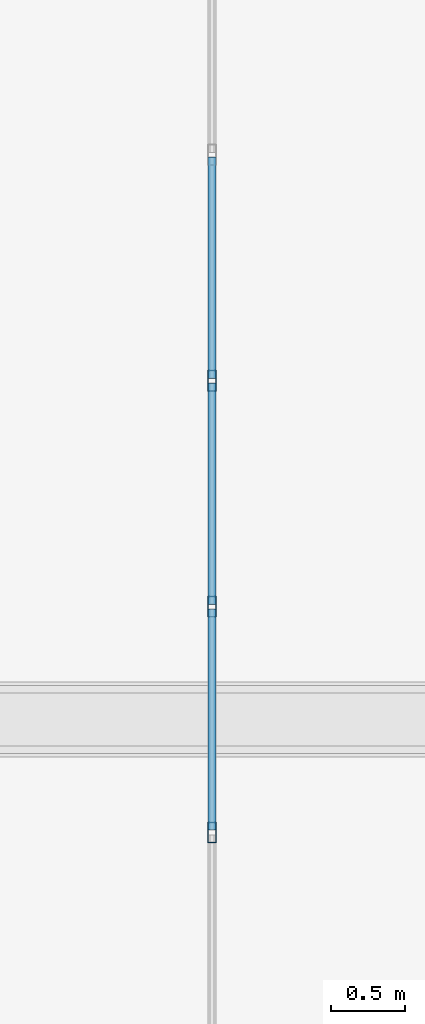
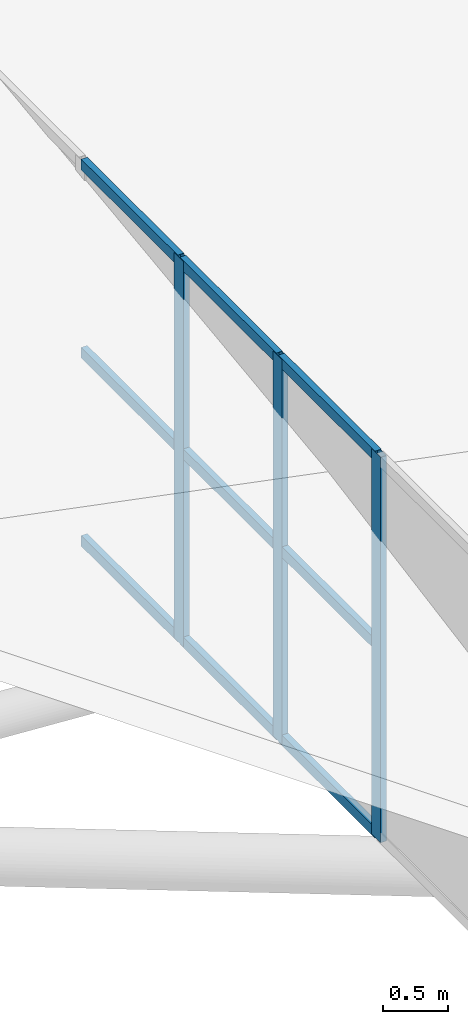
# One storey, part 125 of 397: 12 members, 1 element without a shape of its own.
"""IFC4 building model written with IfcOpenShell, lengths in metres."""

from ifc_helpers import new_model, si_unit, direction, frame, origin, origin_2d, place, context, subcontext, project, spatial, hollow_rectangle, extrude, material, material_profile, profile_set, type_object, element, aggregate, save


model = new_model("IFC4")

# Units and contexts
model_context = context("Model", 3, precision=1e-05, world=origin(), true_north=direction((0.0, 1.0)))
body_context = subcontext(model_context, "Body", "Model", "MODEL_VIEW")
ifc_project = project(units=[si_unit("LENGTHUNIT", "METRE"), si_unit("AREAUNIT", "SQUARE_METRE"), si_unit("VOLUMEUNIT", "CUBIC_METRE"), si_unit("PLANEANGLEUNIT", "RADIAN"), si_unit("MASSUNIT", "GRAM", prefix="KILO")], contexts=[model_context])

# Site, building, storey
site_placement = place(None, origin())
site = spatial("IfcSite", under=ifc_project, at=site_placement, CompositionType="ELEMENT")
building_placement = place(site_placement, origin())
building = spatial("IfcBuilding", under=site, at=building_placement, Name="Qandorah Velis Arena", CompositionType="ELEMENT")
storey_placement = place(building_placement, frame((0.0, 0.0, 27.5)))
storey = spatial("IfcBuildingStorey", under=building, at=storey_placement, Name="RF", CompositionType="ELEMENT", Elevation=27.5)

# Curtain wall, members
ifc_material_1 = material(Name="Solar-control low-E double glazing", Category="glass")
curtain_wall_type = type_object("IfcCurtainWallType", Name="ARC-CW-SYS13", PredefinedType="USERDEFINED", material=ifc_material_1)
curtain_wall_placement = place(storey_placement, origin())
curtain_wall = element("IfcCurtainWall", 1, at=curtain_wall_placement, inside=storey, type_object=curtain_wall_type, Name="Unitised curtain wall MON-2-1", ObjectType="UNITISED CURTAIN WALL", PredefinedType="USERDEFINED")
ifc_material_2 = material(Name="Champagne-bronze anodized aluminium 6063-T6", Category="aluminium")
ifc_material_profile_1 = material_profile(ifc_material_2, hollow_rectangle(XDim=0.054931640625, YDim=0.139892578125, WallThickness=0.0029296875, at=origin_2d()), Name="ALU MULLION 55x140")
ifc_profile_set_1 = profile_set([ifc_material_profile_1], Name="Champagne-bronze anodized aluminium 6063-T6")
member_type_1 = type_object("IfcMemberType", Name="ARC-CWM-140", PredefinedType="MULLION", material=ifc_profile_set_1)
member_1_placement = place(storey_placement, frame((108.0, 28.038818359375, 3.5263671875), z_axis=(0.0, 0.0, 1.0), x_axis=(-1.0, 0.0, 0.0)))
member_1 = element("IfcMember", 2, at=member_1_placement, type_object=member_type_1, Name="CW13 mullion 5", PredefinedType="MULLION", context=body_context, shape_type="SweptSolid", body=[
    extrude(hollow_rectangle(XDim=0.054931640625, YDim=0.139892578125, WallThickness=0.0029296875, at=origin_2d()), origin(), (0.0, 0.0, 1.0), 3.630126953125),
])
member_2_placement = place(storey_placement, frame((108.0, 29.56103515625, 3.5263671875), z_axis=(0.0, 0.0, 1.0), x_axis=(-1.0, 0.0, 0.0)))
member_2 = element("IfcMember", 3, at=member_2_placement, type_object=member_type_1, Name="CW13 mullion 6", PredefinedType="MULLION", context=body_context, shape_type="SweptSolid", body=[
    extrude(hollow_rectangle(XDim=0.054931640625, YDim=0.139892578125, WallThickness=0.0029296875, at=origin_2d()), origin(), (0.0, 0.0, 1.0), 3.630126953125),
])
member_3_placement = place(storey_placement, frame((108.0, 31.083251953125, 3.5263671875), z_axis=(0.0, 0.0, 1.0), x_axis=(-1.0, 0.0, 0.0)))
member_3 = element("IfcMember", 4, at=member_3_placement, type_object=member_type_1, Name="CW13 mullion 7", PredefinedType="MULLION", context=body_context, shape_type="SweptSolid", body=[
    extrude(hollow_rectangle(XDim=0.054931640625, YDim=0.139892578125, WallThickness=0.0029296875, at=origin_2d()), origin(), (0.0, 0.0, 1.0), 3.630126953125),
])
ifc_material_profile_2 = material_profile(ifc_material_2, hollow_rectangle(XDim=0.054931640625, YDim=0.10009765625, WallThickness=0.0029296875, at=origin_2d()), Name="ALU TRANSOM 55x100")
ifc_profile_set_2 = profile_set([ifc_material_profile_2], Name="Champagne-bronze anodized aluminium 6063-T6")
member_type_2 = type_object("IfcMemberType", Name="ARC-CWT-100", PredefinedType="USERDEFINED", material=ifc_profile_set_2)
member_4_placement = place(storey_placement, frame((108.0, 28.054443359375, 3.56884765625), z_axis=(0.0, 1.0, 0.0), x_axis=(-1.0, 0.0, 0.0)))
member_4 = element("IfcMember", 5, at=member_4_placement, type_object=member_type_2, Name="CW13 transom 5.1", ObjectType="TRANSOM", PredefinedType="USERDEFINED", context=body_context, shape_type="SweptSolid", body=[
    extrude(hollow_rectangle(XDim=0.054931640625, YDim=0.10009765625, WallThickness=0.0029296875, at=origin_2d()), origin(), (0.0, 0.0, 1.0), 1.4912109375),
])
member_5_placement = place(storey_placement, frame((108.0, 28.054443359375, 5.34130859375), z_axis=(0.0, 1.0, 0.0), x_axis=(-1.0, 0.0, 0.0)))
member_5 = element("IfcMember", 6, at=member_5_placement, type_object=member_type_2, Name="CW13 transom 5.2", ObjectType="TRANSOM", PredefinedType="USERDEFINED", context=body_context, shape_type="SweptSolid", body=[
    extrude(hollow_rectangle(XDim=0.054931640625, YDim=0.10009765625, WallThickness=0.0029296875, at=origin_2d()), origin(), (0.0, 0.0, 1.0), 1.4912109375),
])
member_6_placement = place(storey_placement, frame((108.0, 28.054443359375, 7.114013671875), z_axis=(0.0, 1.0, 0.0), x_axis=(-1.0, 0.0, 0.0)))
member_6 = element("IfcMember", 7, at=member_6_placement, type_object=member_type_2, Name="CW13 transom 5.3", ObjectType="TRANSOM", PredefinedType="USERDEFINED", context=body_context, shape_type="SweptSolid", body=[
    extrude(hollow_rectangle(XDim=0.054931640625, YDim=0.10009765625, WallThickness=0.0029296875, at=origin_2d()), origin(), (0.0, 0.0, 1.0), 1.4912109375),
])
member_7_placement = place(storey_placement, frame((108.0, 29.57666015625, 3.56884765625), z_axis=(0.0, 1.0, 0.0), x_axis=(-1.0, 0.0, 0.0)))
member_7 = element("IfcMember", 8, at=member_7_placement, type_object=member_type_2, Name="CW13 transom 6.1", ObjectType="TRANSOM", PredefinedType="USERDEFINED", context=body_context, shape_type="SweptSolid", body=[
    extrude(hollow_rectangle(XDim=0.054931640625, YDim=0.10009765625, WallThickness=0.0029296875, at=origin_2d()), origin(), (0.0, 0.0, 1.0), 1.4912109375),
])
member_8_placement = place(storey_placement, frame((108.0, 29.57666015625, 5.34130859375), z_axis=(0.0, 1.0, 0.0), x_axis=(-1.0, 0.0, 0.0)))
member_8 = element("IfcMember", 9, at=member_8_placement, type_object=member_type_2, Name="CW13 transom 6.2", ObjectType="TRANSOM", PredefinedType="USERDEFINED", context=body_context, shape_type="SweptSolid", body=[
    extrude(hollow_rectangle(XDim=0.054931640625, YDim=0.10009765625, WallThickness=0.0029296875, at=origin_2d()), origin(), (0.0, 0.0, 1.0), 1.4912109375),
])
member_9_placement = place(storey_placement, frame((108.0, 29.57666015625, 7.114013671875), z_axis=(0.0, 1.0, 0.0), x_axis=(-1.0, 0.0, 0.0)))
member_9 = element("IfcMember", 10, at=member_9_placement, type_object=member_type_2, Name="CW13 transom 6.3", ObjectType="TRANSOM", PredefinedType="USERDEFINED", context=body_context, shape_type="SweptSolid", body=[
    extrude(hollow_rectangle(XDim=0.054931640625, YDim=0.10009765625, WallThickness=0.0029296875, at=origin_2d()), origin(), (0.0, 0.0, 1.0), 1.4912109375),
])
member_10_placement = place(storey_placement, frame((108.0, 31.098876953125, 3.56884765625), z_axis=(0.0, 1.0, 0.0), x_axis=(-1.0, 0.0, 0.0)))
member_10 = element("IfcMember", 11, at=member_10_placement, type_object=member_type_2, Name="CW13 transom 7.1", ObjectType="TRANSOM", PredefinedType="USERDEFINED", context=body_context, shape_type="SweptSolid", body=[
    extrude(hollow_rectangle(XDim=0.054931640625, YDim=0.10009765625, WallThickness=0.0029296875, at=origin_2d()), origin(), (0.0, 0.0, 1.0), 1.4912109375),
])
member_11_placement = place(storey_placement, frame((108.0, 31.098876953125, 5.34130859375), z_axis=(0.0, 1.0, 0.0), x_axis=(-1.0, 0.0, 0.0)))
member_11 = element("IfcMember", 12, at=member_11_placement, type_object=member_type_2, Name="CW13 transom 7.2", ObjectType="TRANSOM", PredefinedType="USERDEFINED", context=body_context, shape_type="SweptSolid", body=[
    extrude(hollow_rectangle(XDim=0.054931640625, YDim=0.10009765625, WallThickness=0.0029296875, at=origin_2d()), origin(), (0.0, 0.0, 1.0), 1.4912109375),
])
member_12_placement = place(storey_placement, frame((108.0, 31.098876953125, 7.114013671875), z_axis=(0.0, 1.0, 0.0), x_axis=(-1.0, 0.0, 0.0)))
member_12 = element("IfcMember", 13, at=member_12_placement, type_object=member_type_2, Name="CW13 transom 7.3", ObjectType="TRANSOM", PredefinedType="USERDEFINED", context=body_context, shape_type="SweptSolid", body=[
    extrude(hollow_rectangle(XDim=0.054931640625, YDim=0.10009765625, WallThickness=0.0029296875, at=origin_2d()), origin(), (0.0, 0.0, 1.0), 1.4912109375),
])
aggregate(curtain_wall, [member_1, member_2, member_3, member_4, member_5, member_6, member_7, member_8, member_9, member_10, member_11, member_12])

save(model, "model.ifc")
